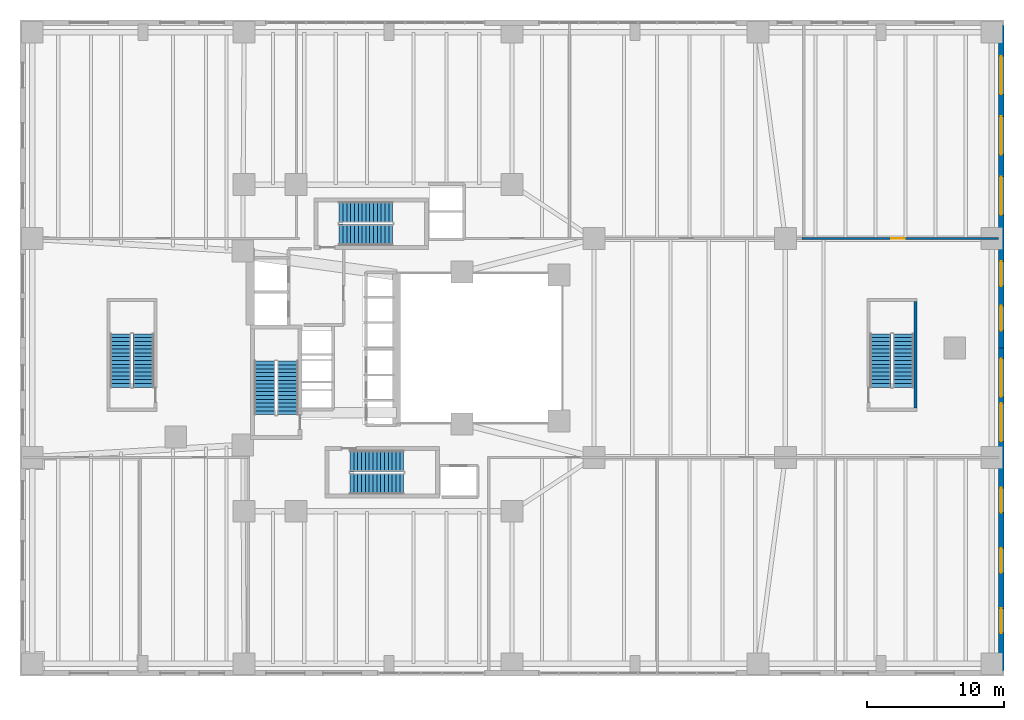
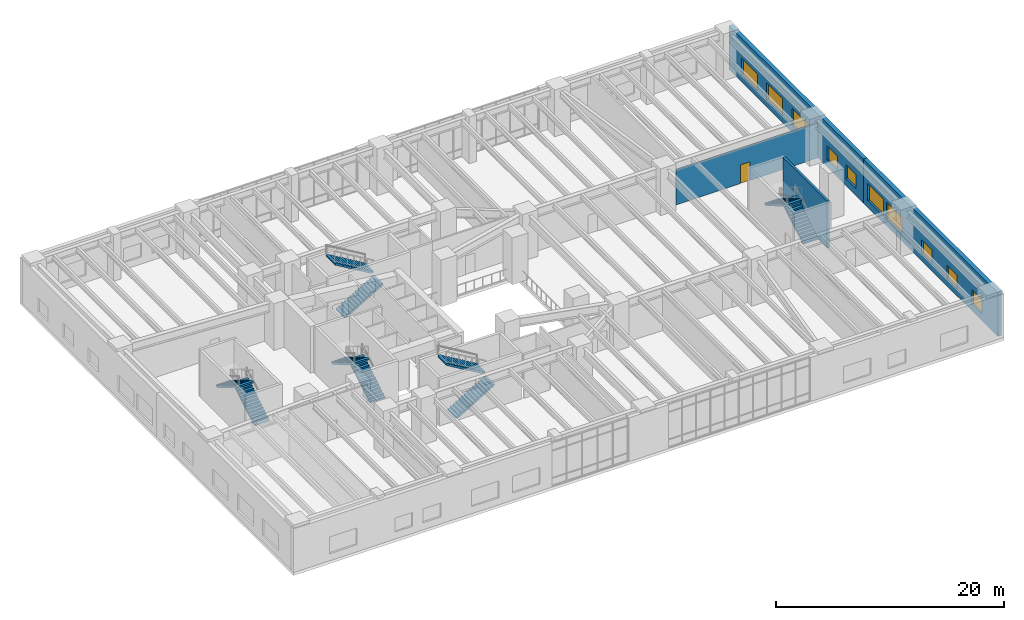
# One storey, part 24 of 26: 10 stair flights, 10 windows, 4 walls, 1 door, 11 openings, 5 elements without a shape of their own.
"""IFC4 building model written with IfcOpenShell, lengths in metres."""

from ifc_helpers import new_model, si_unit, direction, frame, frame_2d, origin, place, context, subcontext, project, spatial, polyline, rectangle, outline, extrude, material, layer, layer_set, type_object, element, fill, aggregate, save


model = new_model("IFC4")

# Units and contexts
model_context = context("Model", 3, precision=1e-05, world=origin(), true_north=direction((0.0, 1.0)))
body_context = subcontext(model_context, "Body", "Model", "MODEL_VIEW")
ifc_project = project(units=[si_unit("LENGTHUNIT", "METRE"), si_unit("AREAUNIT", "SQUARE_METRE"), si_unit("VOLUMEUNIT", "CUBIC_METRE"), si_unit("PLANEANGLEUNIT", "RADIAN"), si_unit("MASSUNIT", "GRAM", prefix="KILO"), si_unit("THERMODYNAMICTEMPERATUREUNIT", "KELVIN"), si_unit("POWERUNIT", "WATT")], contexts=[model_context])

# Site, building, storey
site_placement = place(None, origin())
site = spatial("IfcSite", under=ifc_project, at=site_placement, CompositionType="ELEMENT")
building_placement = place(site_placement, origin())
building = spatial("IfcBuilding", under=site, at=building_placement, Name="Skarre Station Tower", CompositionType="ELEMENT")
storey_placement = place(building_placement, frame((0.0, 0.0, 6.0)))
storey = spatial("IfcBuildingStorey", under=building, at=storey_placement, Name="L02", CompositionType="ELEMENT", Elevation=6.0)

# Wall, opening, door
ifc_material_1 = material(Name="Acoustic Steel-Stud Gypsum Partition", Category="steel")
ifc_layer_1 = layer(ifc_material_1, 0.14990234375, Name="Acoustic Steel-Stud Gypsum Partition")
ifc_layer_set_1 = layer_set([ifc_layer_1], Name="Acoustic Steel-Stud Gypsum Partition")
wall_type_1 = type_object("IfcWallType", Name="Fire-Rated Corridor Acoustic Partition 150", PredefinedType="PARTITIONING", material=ifc_layer_set_1)
wall_1_placement = place(storey_placement, frame((71.60498046875, 32.02001953125, 0.0), z_axis=(0.0, 0.0, 1.0), x_axis=(-1.0, 0.0, 0.0)))
wall_1 = element("IfcWall", 1, at=wall_1_placement, inside=storey, type_object=wall_type_1, Name="L02 Interior Partition WL-PT-L02-PDN4-CW", PredefinedType="PARTITIONING", context=body_context, shape_type="SweptSolid", body=[
    extrude(rectangle(XDim=14.380859375, YDim=0.14990234375, at=frame_2d((7.1904296875, 0.0))), origin(), (0.0, 0.0, 1.0), 3.741943359375),
])
opening_1_placement = place(wall_1_placement, frame((6.8798828125, 0.0, 0.0)))
opening_1 = element("IfcOpeningElement", 2, at=opening_1_placement, cuts=wall_1, Name="Opening DR-FD60", PredefinedType="OPENING", context=body_context, shape_type="SweptSolid", body=[
    extrude(rectangle(XDim=0.9599609375, YDim=2.0, at=frame_2d((0.47998046875, 1.0))), frame((0.0, 0.0849609375, 0.0), z_axis=(0.0, -1.0, 0.0), x_axis=(1.0, 0.0, 0.0)), (0.0, 0.0, 1.0), 0.169921875),
])
ifc_material_2 = material(Name="Nordic White-Oak Veneer Solid-Core Fire Leaf", Category="wood")
door_type = type_object("IfcDoorType", Name="Corridor Suite Entry Fire Door FD60 960x2150", OperationType="SINGLE_SWING_LEFT", PredefinedType="DOOR", material=ifc_material_2)
door_placement = place(opening_1_placement, origin())
door = element("IfcDoor", 3, at=door_placement, inside=storey, type_object=door_type, Name="L02 PDN4 Entry Door", OperationType="SINGLE_SWING_LEFT", OverallHeight=2.0, OverallWidth=0.9599609375, PredefinedType="DOOR", context=body_context, shape_type="SweptSolid", body=[
    extrude(rectangle(XDim=0.9599609375, YDim=2.0, at=frame_2d((0.47998046875, 1.0))), frame((0.0, 0.02490234375, 0.0), z_axis=(0.0, -1.0, 0.0), x_axis=(1.0, 0.0, 0.0)), (0.0, 0.0, 1.0), 0.050048828125),
])
fill(opening_1, door)

# Wall, openings, windows
ifc_material_3 = material(Name="Precast concrete C45/55", Category="concrete")
ifc_layer_2 = layer(ifc_material_3, 0.39990234375, Name="Precast concrete C45/55")
ifc_layer_set_2 = layer_set([ifc_layer_2], Name="Precast concrete C45/55")
wall_type_2 = type_object("IfcWallType", Name="Nordic Granite Station Podium Wall 400", PredefinedType="STANDARD", material=ifc_layer_set_2)
wall_2_placement = place(storey_placement, frame((71.800048828125, 47.60009765625, 0.0), z_axis=(0.0, 0.0, 1.0), x_axis=(0.0, -1.0, 0.0)))
wall_2 = element("IfcWall", 4, at=wall_2_placement, inside=storey, type_object=wall_type_2, Name="L02 Podium Granite Wall EA", PredefinedType="STANDARD", context=body_context, shape_type="SweptSolid", body=[
    extrude(rectangle(XDim=23.60009765625, YDim=0.39990234375, at=frame_2d((11.800048828125, 0.0))), origin(), (0.0, 0.0, 1.0), 4.68994140625),
])
opening_2_placement = place(wall_2_placement, frame((2.242919921875, 0.0, 0.75)))
opening_2 = element("IfcOpeningElement", 5, at=opening_2_placement, cuts=wall_2, Name="Opening WN-POD", PredefinedType="OPENING", context=body_context, shape_type="SweptSolid", body=[
    extrude(rectangle(XDim=2.800048828125, YDim=1.800048828125, at=frame_2d((1.39990234375, 0.89990234375))), frame((0.0, 0.2099609375, 0.0), z_axis=(0.0, -1.0, 0.0), x_axis=(1.0, 0.0, 0.0)), (0.0, 0.0, 1.0), 0.419921875),
])
opening_3_placement = place(wall_2_placement, frame((6.64990234375, 0.0, 0.75)))
opening_3 = element("IfcOpeningElement", 6, at=opening_3_placement, cuts=wall_2, Name="Opening WN-POD", PredefinedType="OPENING", context=body_context, shape_type="SweptSolid", body=[
    extrude(rectangle(XDim=2.800048828125, YDim=1.800048828125, at=frame_2d((1.39990234375, 0.89990234375))), frame((0.0, 0.2099609375, 0.0), z_axis=(0.0, -1.0, 0.0), x_axis=(1.0, 0.0, 0.0)), (0.0, 0.0, 1.0), 0.419921875),
])
opening_4_placement = place(wall_2_placement, frame((11.056884765625, 0.0, 0.75)))
opening_4 = element("IfcOpeningElement", 7, at=opening_4_placement, cuts=wall_2, Name="Opening WN-POD", PredefinedType="OPENING", context=body_context, shape_type="SweptSolid", body=[
    extrude(rectangle(XDim=2.800048828125, YDim=1.800048828125, at=frame_2d((1.39990234375, 0.89990234375))), frame((0.0, 0.2099609375, 0.0), z_axis=(0.0, -1.0, 0.0), x_axis=(1.0, 0.0, 0.0)), (0.0, 0.0, 1.0), 0.419921875),
])
opening_5_placement = place(wall_2_placement, frame((17.26806640625, 0.0, 0.75)))
opening_5 = element("IfcOpeningElement", 8, at=opening_5_placement, cuts=wall_2, Name="Opening WN-Z1A", PredefinedType="OPENING", context=body_context, shape_type="SweptSolid", body=[
    extrude(rectangle(XDim=1.800048828125, YDim=1.5, at=frame_2d((0.89990234375, 0.75))), frame((0.0, 0.2099609375, 0.0), z_axis=(0.0, -1.0, 0.0), x_axis=(1.0, 0.0, 0.0)), (0.0, 0.0, 1.0), 0.419921875),
])
opening_6_placement = place(wall_2_placement, frame((20.52294921875, 0.0, 0.75)))
opening_6 = element("IfcOpeningElement", 9, at=opening_6_placement, cuts=wall_2, Name="Opening WN-Z1A", PredefinedType="OPENING", context=body_context, shape_type="SweptSolid", body=[
    extrude(rectangle(XDim=1.800048828125, YDim=1.5, at=frame_2d((0.89990234375, 0.75))), frame((0.0, 0.2099609375, 0.0), z_axis=(0.0, -1.0, 0.0), x_axis=(1.0, 0.0, 0.0)), (0.0, 0.0, 1.0), 0.419921875),
])
ifc_material_4 = material(Name="Low-Iron Triple Glazing with Bronze Anodized Frame", Category="glass")
window_type_1 = type_object("IfcWindowType", Name="Nordic Punched Triple-Glazed Window 1800x1500", PartitioningType="SINGLE_PANEL", PredefinedType="WINDOW", material=ifc_material_4)
window_1_placement = place(opening_5_placement, origin())
window_1 = element("IfcWindow", 10, at=window_1_placement, inside=storey, type_object=window_type_1, Name="L02 Facade Window WL-POD-L02-EA-4", OverallHeight=1.5, OverallWidth=1.800048828125, PartitioningType="SINGLE_PANEL", PredefinedType="WINDOW", context=body_context, shape_type="SweptSolid", body=[
    extrude(rectangle(XDim=1.800048828125, YDim=1.5, at=frame_2d((0.89990234375, 0.75))), frame((0.0, 0.030029296875, 0.0), z_axis=(0.0, -1.0, 0.0), x_axis=(1.0, 0.0, 0.0)), (0.0, 0.0, 1.0), 0.06005859375),
])
fill(opening_5, window_1)
window_2_placement = place(opening_6_placement, origin())
window_2 = element("IfcWindow", 11, at=window_2_placement, inside=storey, type_object=window_type_1, Name="L02 Facade Window WL-POD-L02-EA-5", OverallHeight=1.5, OverallWidth=1.800048828125, PartitioningType="SINGLE_PANEL", PredefinedType="WINDOW", context=body_context, shape_type="SweptSolid", body=[
    extrude(rectangle(XDim=1.800048828125, YDim=1.5, at=frame_2d((0.89990234375, 0.75))), frame((0.0, 0.030029296875, 0.0), z_axis=(0.0, -1.0, 0.0), x_axis=(1.0, 0.0, 0.0)), (0.0, 0.0, 1.0), 0.06005859375),
])
fill(opening_6, window_2)
window_type_2 = type_object("IfcWindowType", Name="Podium Clerestory Ribbon Window 2800x1800", PartitioningType="SINGLE_PANEL", PredefinedType="WINDOW", material=ifc_material_4)
window_3_placement = place(opening_2_placement, origin())
window_3 = element("IfcWindow", 12, at=window_3_placement, inside=storey, type_object=window_type_2, Name="L02 Facade Window WL-POD-L02-EA-1", OverallHeight=1.800048828125, OverallWidth=2.800048828125, PartitioningType="SINGLE_PANEL", PredefinedType="WINDOW", context=body_context, shape_type="SweptSolid", body=[
    extrude(rectangle(XDim=2.800048828125, YDim=1.800048828125, at=frame_2d((1.39990234375, 0.89990234375))), frame((0.0, 0.030029296875, 0.0), z_axis=(0.0, -1.0, 0.0), x_axis=(1.0, 0.0, 0.0)), (0.0, 0.0, 1.0), 0.06005859375),
])
fill(opening_2, window_3)
window_4_placement = place(opening_3_placement, origin())
window_4 = element("IfcWindow", 13, at=window_4_placement, inside=storey, type_object=window_type_2, Name="L02 Facade Window WL-POD-L02-EA-2", OverallHeight=1.800048828125, OverallWidth=2.800048828125, PartitioningType="SINGLE_PANEL", PredefinedType="WINDOW", context=body_context, shape_type="SweptSolid", body=[
    extrude(rectangle(XDim=2.800048828125, YDim=1.800048828125, at=frame_2d((1.39990234375, 0.89990234375))), frame((0.0, 0.030029296875, 0.0), z_axis=(0.0, -1.0, 0.0), x_axis=(1.0, 0.0, 0.0)), (0.0, 0.0, 1.0), 0.06005859375),
])
fill(opening_3, window_4)
window_5_placement = place(opening_4_placement, origin())
window_5 = element("IfcWindow", 14, at=window_5_placement, inside=storey, type_object=window_type_2, Name="L02 Facade Window WL-POD-L02-EA-3", OverallHeight=1.800048828125, OverallWidth=2.800048828125, PartitioningType="SINGLE_PANEL", PredefinedType="WINDOW", context=body_context, shape_type="SweptSolid", body=[
    extrude(rectangle(XDim=2.800048828125, YDim=1.800048828125, at=frame_2d((1.39990234375, 0.89990234375))), frame((0.0, 0.030029296875, 0.0), z_axis=(0.0, -1.0, 0.0), x_axis=(1.0, 0.0, 0.0)), (0.0, 0.0, 1.0), 0.06005859375),
])
fill(opening_4, window_5)

wall_3_placement = place(storey_placement, frame((71.800048828125, 24.0, 0.0), z_axis=(0.0, 0.0, 1.0), x_axis=(0.0, -1.0, 0.0)))
wall_3 = element("IfcWall", 15, at=wall_3_placement, inside=storey, type_object=wall_type_2, Name="L02 Podium Granite Wall EB", PredefinedType="STANDARD", context=body_context, shape_type="SweptSolid", body=[
    extrude(rectangle(XDim=23.60009765625, YDim=0.39990234375, at=frame_2d((11.800048828125, 0.0))), origin(), (0.0, 0.0, 1.0), 4.68994140625),
])
opening_7_placement = place(wall_3_placement, frame((0.778076171875, 0.0, 0.75)))
opening_7 = element("IfcOpeningElement", 16, at=opening_7_placement, cuts=wall_3, Name="Opening WN-POD", PredefinedType="OPENING", context=body_context, shape_type="SweptSolid", body=[
    extrude(rectangle(XDim=2.800048828125, YDim=1.800048828125, at=frame_2d((1.39990234375, 0.89990234375))), frame((0.0, 0.2099609375, 0.0), z_axis=(0.0, -1.0, 0.0), x_axis=(1.0, 0.0, 0.0)), (0.0, 0.0, 1.0), 0.419921875),
])
opening_8_placement = place(wall_3_placement, frame((4.032958984375, 0.0, 0.75)))
opening_8 = element("IfcOpeningElement", 17, at=opening_8_placement, cuts=wall_3, Name="Opening WN-POD", PredefinedType="OPENING", context=body_context, shape_type="SweptSolid", body=[
    extrude(rectangle(XDim=2.800048828125, YDim=1.800048828125, at=frame_2d((1.39990234375, 0.89990234375))), frame((0.0, 0.2099609375, 0.0), z_axis=(0.0, -1.0, 0.0), x_axis=(1.0, 0.0, 0.0)), (0.0, 0.0, 1.0), 0.419921875),
])
opening_9_placement = place(wall_3_placement, frame((10.242919921875, 0.0, 0.75)))
opening_9 = element("IfcOpeningElement", 18, at=opening_9_placement, cuts=wall_3, Name="Opening WN-Z1A", PredefinedType="OPENING", context=body_context, shape_type="SweptSolid", body=[
    extrude(rectangle(XDim=1.800048828125, YDim=1.5, at=frame_2d((0.89990234375, 0.75))), frame((0.0, 0.2099609375, 0.0), z_axis=(0.0, -1.0, 0.0), x_axis=(1.0, 0.0, 0.0)), (0.0, 0.0, 1.0), 0.419921875),
])
opening_10_placement = place(wall_3_placement, frame((14.64990234375, 0.0, 0.75)))
opening_10 = element("IfcOpeningElement", 19, at=opening_10_placement, cuts=wall_3, Name="Opening WN-Z1A", PredefinedType="OPENING", context=body_context, shape_type="SweptSolid", body=[
    extrude(rectangle(XDim=1.800048828125, YDim=1.5, at=frame_2d((0.89990234375, 0.75))), frame((0.0, 0.2099609375, 0.0), z_axis=(0.0, -1.0, 0.0), x_axis=(1.0, 0.0, 0.0)), (0.0, 0.0, 1.0), 0.419921875),
])
opening_11_placement = place(wall_3_placement, frame((19.056884765625, 0.0, 0.75)))
opening_11 = element("IfcOpeningElement", 20, at=opening_11_placement, cuts=wall_3, Name="Opening WN-Z1A", PredefinedType="OPENING", context=body_context, shape_type="SweptSolid", body=[
    extrude(rectangle(XDim=1.800048828125, YDim=1.5, at=frame_2d((0.89990234375, 0.75))), frame((0.0, 0.2099609375, 0.0), z_axis=(0.0, -1.0, 0.0), x_axis=(1.0, 0.0, 0.0)), (0.0, 0.0, 1.0), 0.419921875),
])
window_6_placement = place(opening_9_placement, origin())
window_6 = element("IfcWindow", 21, at=window_6_placement, inside=storey, type_object=window_type_1, Name="L02 Facade Window WL-POD-L02-EB-3", OverallHeight=1.5, OverallWidth=1.800048828125, PartitioningType="SINGLE_PANEL", PredefinedType="WINDOW", context=body_context, shape_type="SweptSolid", body=[
    extrude(rectangle(XDim=1.800048828125, YDim=1.5, at=frame_2d((0.89990234375, 0.75))), frame((0.0, 0.030029296875, 0.0), z_axis=(0.0, -1.0, 0.0), x_axis=(1.0, 0.0, 0.0)), (0.0, 0.0, 1.0), 0.06005859375),
])
fill(opening_9, window_6)
window_7_placement = place(opening_10_placement, origin())
window_7 = element("IfcWindow", 22, at=window_7_placement, inside=storey, type_object=window_type_1, Name="L02 Facade Window WL-POD-L02-EB-4", OverallHeight=1.5, OverallWidth=1.800048828125, PartitioningType="SINGLE_PANEL", PredefinedType="WINDOW", context=body_context, shape_type="SweptSolid", body=[
    extrude(rectangle(XDim=1.800048828125, YDim=1.5, at=frame_2d((0.89990234375, 0.75))), frame((0.0, 0.030029296875, 0.0), z_axis=(0.0, -1.0, 0.0), x_axis=(1.0, 0.0, 0.0)), (0.0, 0.0, 1.0), 0.06005859375),
])
fill(opening_10, window_7)
window_8_placement = place(opening_11_placement, origin())
window_8 = element("IfcWindow", 23, at=window_8_placement, inside=storey, type_object=window_type_1, Name="L02 Facade Window WL-POD-L02-EB-5", OverallHeight=1.5, OverallWidth=1.800048828125, PartitioningType="SINGLE_PANEL", PredefinedType="WINDOW", context=body_context, shape_type="SweptSolid", body=[
    extrude(rectangle(XDim=1.800048828125, YDim=1.5, at=frame_2d((0.89990234375, 0.75))), frame((0.0, 0.030029296875, 0.0), z_axis=(0.0, -1.0, 0.0), x_axis=(1.0, 0.0, 0.0)), (0.0, 0.0, 1.0), 0.06005859375),
])
fill(opening_11, window_8)
window_9_placement = place(opening_7_placement, origin())
window_9 = element("IfcWindow", 24, at=window_9_placement, inside=storey, type_object=window_type_2, Name="L02 Facade Window WL-POD-L02-EB-1", OverallHeight=1.800048828125, OverallWidth=2.800048828125, PartitioningType="SINGLE_PANEL", PredefinedType="WINDOW", context=body_context, shape_type="SweptSolid", body=[
    extrude(rectangle(XDim=2.800048828125, YDim=1.800048828125, at=frame_2d((1.39990234375, 0.89990234375))), frame((0.0, 0.030029296875, 0.0), z_axis=(0.0, -1.0, 0.0), x_axis=(1.0, 0.0, 0.0)), (0.0, 0.0, 1.0), 0.06005859375),
])
fill(opening_7, window_9)
window_10_placement = place(opening_8_placement, origin())
window_10 = element("IfcWindow", 25, at=window_10_placement, inside=storey, type_object=window_type_2, Name="L02 Facade Window WL-POD-L02-EB-2", OverallHeight=1.800048828125, OverallWidth=2.800048828125, PartitioningType="SINGLE_PANEL", PredefinedType="WINDOW", context=body_context, shape_type="SweptSolid", body=[
    extrude(rectangle(XDim=2.800048828125, YDim=1.800048828125, at=frame_2d((1.39990234375, 0.89990234375))), frame((0.0, 0.030029296875, 0.0), z_axis=(0.0, -1.0, 0.0), x_axis=(1.0, 0.0, 0.0)), (0.0, 0.0, 1.0), 0.06005859375),
])
fill(opening_8, window_10)

# Wall
ifc_material_5 = material(Name="Concrete C50/60", Category="concrete")
ifc_layer_3 = layer(ifc_material_5, 0.239990234375, Name="Concrete C50/60")
ifc_layer_set_3 = layer_set([ifc_layer_3], Name="Concrete C50/60")
wall_type_3 = type_object("IfcWallType", Name="RC Core Shear Wall 240", PredefinedType="SHEAR", material=ifc_layer_set_3)
wall_4_placement = place(storey_placement, frame((65.52001953125, 19.60009765625, 0.0), z_axis=(0.0, 0.0, 1.0), x_axis=(0.0, 1.0, 0.0)))
element("IfcWall", 26, at=wall_4_placement, inside=storey, type_object=wall_type_3, Name="L02 Podium Stair ST-5 East Shear Wall", PredefinedType="SHEAR", context=body_context, shape_type="SweptSolid", body=[
    extrude(rectangle(XDim=7.7998046875, YDim=0.239990234375, at=frame_2d((3.89990234375, 0.0))), origin(), (0.0, 0.0, 1.0), 5.0),
])

# Stair, stair flights
ifc_material_6 = material(Name="Concrete C40/50", Category="concrete")
stair_type_1 = type_object("IfcStairType", Name="Reinforced Concrete Exit Stair ST-1", PredefinedType="HALF_TURN_STAIR", material=ifc_material_6)
stair_1_placement = place(storey_placement, origin())
stair_1 = element("IfcStair", 27, at=stair_1_placement, inside=storey, type_object=stair_type_1, Name="L02 Core Exit Stair ST-1", PredefinedType="HALF_TURN_STAIR")
stair_flight_type_1 = type_object("IfcStairFlightType", Name="Reinforced Concrete Stair Flight ST-1", PredefinedType="STRAIGHT", material=ifc_material_6)
stair_flight_1_placement = place(storey_placement, frame((19.590087890625, 19.1201171875, 0.0), z_axis=(0.0, 0.0, 1.0), x_axis=(0.0, 1.0, 0.0)))
stair_flight_1 = element("IfcStairFlight", 28, at=stair_flight_1_placement, type_object=stair_flight_type_1, Name="ST-1 flight 1", NumberOfRisers=15, NumberOfTreads=14, PredefinedType="STRAIGHT", RiserHeight=0.166666667, TreadLength=0.28, context=body_context, shape_type="SweptSolid", body=[
    extrude(outline(polyline([(0.0, 0.0), (0.0, 0.166748046875), (0.280029296875, 0.166748046875), (0.280029296875, 0.333251953125), (0.56005859375, 0.333251953125), (0.56005859375, 0.5), (0.840087890625, 0.5), (0.840087890625, 0.666748046875), (1.1201171875, 0.666748046875), (1.1201171875, 0.833251953125), (1.39990234375, 0.833251953125), (1.39990234375, 1.0), (1.679931640625, 1.0), (1.679931640625, 1.166748046875), (1.9599609375, 1.166748046875), (1.9599609375, 1.333251953125), (2.239990234375, 1.333251953125), (2.239990234375, 1.5), (2.52001953125, 1.5), (2.52001953125, 1.666748046875), (2.800048828125, 1.666748046875), (2.800048828125, 1.833251953125), (3.080078125, 1.833251953125), (3.080078125, 2.0), (3.360107421875, 2.0), (3.360107421875, 2.166748046875), (3.639892578125, 2.166748046875), (3.639892578125, 2.333251953125), (3.919921875, 2.333251953125), (3.919921875, 2.5), (3.919921875, 2.158935546875), (0.29296875, 0.0), (0.0, 0.0)])), frame((0.0, 0.760009765625, 0.0), z_axis=(0.0, -1.0, 0.0), x_axis=(1.0, 0.0, 0.0)), (0.0, 0.0, 1.0), 1.52001953125),
])
stair_flight_2_placement = place(storey_placement, frame((17.909912109375, 23.0400390625, 2.5), z_axis=(0.0, 0.0, 1.0), x_axis=(0.0, -1.0, 0.0)))
stair_flight_2 = element("IfcStairFlight", 29, at=stair_flight_2_placement, type_object=stair_flight_type_1, Name="ST-1 flight 2", NumberOfRisers=15, NumberOfTreads=14, PredefinedType="STRAIGHT", RiserHeight=0.166666667, TreadLength=0.28, context=body_context, shape_type="SweptSolid", body=[
    extrude(outline(polyline([(0.0, 0.0), (0.0, 0.166748046875), (0.280029296875, 0.166748046875), (0.280029296875, 0.333251953125), (0.56005859375, 0.333251953125), (0.56005859375, 0.5), (0.840087890625, 0.5), (0.840087890625, 0.666748046875), (1.1201171875, 0.666748046875), (1.1201171875, 0.833251953125), (1.39990234375, 0.833251953125), (1.39990234375, 1.0), (1.679931640625, 1.0), (1.679931640625, 1.166748046875), (1.9599609375, 1.166748046875), (1.9599609375, 1.333251953125), (2.239990234375, 1.333251953125), (2.239990234375, 1.5), (2.52001953125, 1.5), (2.52001953125, 1.666748046875), (2.800048828125, 1.666748046875), (2.800048828125, 1.833251953125), (3.080078125, 1.833251953125), (3.080078125, 2.0), (3.360107421875, 2.0), (3.360107421875, 2.166748046875), (3.639892578125, 2.166748046875), (3.639892578125, 2.333251953125), (3.919921875, 2.333251953125), (3.919921875, 2.5), (3.919921875, 2.158935546875), (0.29296875, 0.0), (0.0, 0.0)])), frame((0.0, 0.760009765625, 0.0), z_axis=(0.0, -1.0, 0.0), x_axis=(1.0, 0.0, 0.0)), (0.0, 0.0, 1.0), 1.52001953125),
])
aggregate(stair_1, [stair_flight_1, stair_flight_2])

stair_type_2 = type_object("IfcStairType", Name="Reinforced Concrete Exit Stair ST-2", PredefinedType="HALF_TURN_STAIR", material=ifc_material_6)
stair_2_placement = place(storey_placement, origin())
stair_2 = element("IfcStair", 30, at=stair_2_placement, inside=storey, type_object=stair_type_2, Name="L02 Core Exit Stair ST-2", PredefinedType="HALF_TURN_STAIR")
stair_flight_type_2 = type_object("IfcStairFlightType", Name="Reinforced Concrete Stair Flight ST-2", PredefinedType="STRAIGHT", material=ifc_material_6)
stair_flight_3_placement = place(storey_placement, frame((24.14990234375, 14.06005859375, 0.0), z_axis=(0.0, 0.0, 1.0), x_axis=(1.0, 0.0, 0.0)))
stair_flight_3 = element("IfcStairFlight", 31, at=stair_flight_3_placement, type_object=stair_flight_type_2, Name="ST-2 flight 1", NumberOfRisers=15, NumberOfTreads=14, PredefinedType="STRAIGHT", RiserHeight=0.166666667, TreadLength=0.28, context=body_context, shape_type="SweptSolid", body=[
    extrude(outline(polyline([(0.0, 0.0), (0.0, 0.166748046875), (0.280029296875, 0.166748046875), (0.280029296875, 0.333251953125), (0.56005859375, 0.333251953125), (0.56005859375, 0.5), (0.840087890625, 0.5), (0.840087890625, 0.666748046875), (1.1201171875, 0.666748046875), (1.1201171875, 0.833251953125), (1.39990234375, 0.833251953125), (1.39990234375, 1.0), (1.679931640625, 1.0), (1.679931640625, 1.166748046875), (1.9599609375, 1.166748046875), (1.9599609375, 1.333251953125), (2.239990234375, 1.333251953125), (2.239990234375, 1.5), (2.52001953125, 1.5), (2.52001953125, 1.666748046875), (2.800048828125, 1.666748046875), (2.800048828125, 1.833251953125), (3.080078125, 1.833251953125), (3.080078125, 2.0), (3.360107421875, 2.0), (3.360107421875, 2.166748046875), (3.639892578125, 2.166748046875), (3.639892578125, 2.333251953125), (3.919921875, 2.333251953125), (3.919921875, 2.5), (3.919921875, 2.158935546875), (0.29296875, 0.0), (0.0, 0.0)])), frame((0.0, 0.760009765625, 0.0), z_axis=(0.0, -1.0, 0.0), x_axis=(1.0, 0.0, 0.0)), (0.0, 0.0, 1.0), 1.52001953125),
])
stair_flight_4_placement = place(storey_placement, frame((28.070068359375, 15.739990234375, 2.5), z_axis=(0.0, 0.0, 1.0), x_axis=(-1.0, 0.0, 0.0)))
stair_flight_4 = element("IfcStairFlight", 32, at=stair_flight_4_placement, type_object=stair_flight_type_2, Name="ST-2 flight 2", NumberOfRisers=15, NumberOfTreads=14, PredefinedType="STRAIGHT", RiserHeight=0.166666667, TreadLength=0.28, context=body_context, shape_type="SweptSolid", body=[
    extrude(outline(polyline([(0.0, 0.0), (0.0, 0.166748046875), (0.280029296875, 0.166748046875), (0.280029296875, 0.333251953125), (0.56005859375, 0.333251953125), (0.56005859375, 0.5), (0.840087890625, 0.5), (0.840087890625, 0.666748046875), (1.1201171875, 0.666748046875), (1.1201171875, 0.833251953125), (1.39990234375, 0.833251953125), (1.39990234375, 1.0), (1.679931640625, 1.0), (1.679931640625, 1.166748046875), (1.9599609375, 1.166748046875), (1.9599609375, 1.333251953125), (2.239990234375, 1.333251953125), (2.239990234375, 1.5), (2.52001953125, 1.5), (2.52001953125, 1.666748046875), (2.800048828125, 1.666748046875), (2.800048828125, 1.833251953125), (3.080078125, 1.833251953125), (3.080078125, 2.0), (3.360107421875, 2.0), (3.360107421875, 2.166748046875), (3.639892578125, 2.166748046875), (3.639892578125, 2.333251953125), (3.919921875, 2.333251953125), (3.919921875, 2.5), (3.919921875, 2.158935546875), (0.29296875, 0.0), (0.0, 0.0)])), frame((0.0, 0.760009765625, 0.0), z_axis=(0.0, -1.0, 0.0), x_axis=(1.0, 0.0, 0.0)), (0.0, 0.0, 1.0), 1.52001953125),
])
aggregate(stair_2, [stair_flight_3, stair_flight_4])

stair_type_3 = type_object("IfcStairType", Name="Reinforced Concrete Exit Stair ST-3", PredefinedType="HALF_TURN_STAIR", material=ifc_material_6)
stair_3_placement = place(storey_placement, origin())
stair_3 = element("IfcStair", 33, at=stair_3_placement, inside=storey, type_object=stair_type_3, Name="L02 Core Exit Stair ST-3", PredefinedType="HALF_TURN_STAIR")
stair_flight_type_3 = type_object("IfcStairFlightType", Name="Reinforced Concrete Stair Flight ST-3", PredefinedType="STRAIGHT", material=ifc_material_6)
stair_flight_5_placement = place(storey_placement, frame((23.35009765625, 32.260009765625, 0.0), z_axis=(0.0, 0.0, 1.0), x_axis=(1.0, 0.0, 0.0)))
stair_flight_5 = element("IfcStairFlight", 34, at=stair_flight_5_placement, type_object=stair_flight_type_3, Name="ST-3 flight 1", NumberOfRisers=15, NumberOfTreads=14, PredefinedType="STRAIGHT", RiserHeight=0.166666667, TreadLength=0.28, context=body_context, shape_type="SweptSolid", body=[
    extrude(outline(polyline([(0.0, 0.0), (0.0, 0.166748046875), (0.280029296875, 0.166748046875), (0.280029296875, 0.333251953125), (0.56005859375, 0.333251953125), (0.56005859375, 0.5), (0.840087890625, 0.5), (0.840087890625, 0.666748046875), (1.1201171875, 0.666748046875), (1.1201171875, 0.833251953125), (1.39990234375, 0.833251953125), (1.39990234375, 1.0), (1.679931640625, 1.0), (1.679931640625, 1.166748046875), (1.9599609375, 1.166748046875), (1.9599609375, 1.333251953125), (2.239990234375, 1.333251953125), (2.239990234375, 1.5), (2.52001953125, 1.5), (2.52001953125, 1.666748046875), (2.800048828125, 1.666748046875), (2.800048828125, 1.833251953125), (3.080078125, 1.833251953125), (3.080078125, 2.0), (3.360107421875, 2.0), (3.360107421875, 2.166748046875), (3.639892578125, 2.166748046875), (3.639892578125, 2.333251953125), (3.919921875, 2.333251953125), (3.919921875, 2.5), (3.919921875, 2.158935546875), (0.29296875, 0.0), (0.0, 0.0)])), frame((0.0, 0.760009765625, 0.0), z_axis=(0.0, -1.0, 0.0), x_axis=(1.0, 0.0, 0.0)), (0.0, 0.0, 1.0), 1.52001953125),
])
stair_flight_6_placement = place(storey_placement, frame((27.27001953125, 33.93994140625, 2.5), z_axis=(0.0, 0.0, 1.0), x_axis=(-1.0, 0.0, 0.0)))
stair_flight_6 = element("IfcStairFlight", 35, at=stair_flight_6_placement, type_object=stair_flight_type_3, Name="ST-3 flight 2", NumberOfRisers=15, NumberOfTreads=14, PredefinedType="STRAIGHT", RiserHeight=0.166666667, TreadLength=0.28, context=body_context, shape_type="SweptSolid", body=[
    extrude(outline(polyline([(0.0, 0.0), (0.0, 0.166748046875), (0.280029296875, 0.166748046875), (0.280029296875, 0.333251953125), (0.56005859375, 0.333251953125), (0.56005859375, 0.5), (0.840087890625, 0.5), (0.840087890625, 0.666748046875), (1.1201171875, 0.666748046875), (1.1201171875, 0.833251953125), (1.39990234375, 0.833251953125), (1.39990234375, 1.0), (1.679931640625, 1.0), (1.679931640625, 1.166748046875), (1.9599609375, 1.166748046875), (1.9599609375, 1.333251953125), (2.239990234375, 1.333251953125), (2.239990234375, 1.5), (2.52001953125, 1.5), (2.52001953125, 1.666748046875), (2.800048828125, 1.666748046875), (2.800048828125, 1.833251953125), (3.080078125, 1.833251953125), (3.080078125, 2.0), (3.360107421875, 2.0), (3.360107421875, 2.166748046875), (3.639892578125, 2.166748046875), (3.639892578125, 2.333251953125), (3.919921875, 2.333251953125), (3.919921875, 2.5), (3.919921875, 2.158935546875), (0.29296875, 0.0), (0.0, 0.0)])), frame((0.0, 0.760009765625, 0.0), z_axis=(0.0, -1.0, 0.0), x_axis=(1.0, 0.0, 0.0)), (0.0, 0.0, 1.0), 1.52001953125),
])
aggregate(stair_3, [stair_flight_5, stair_flight_6])

stair_type_4 = type_object("IfcStairType", Name="Reinforced Concrete Exit Stair ST-4", PredefinedType="HALF_TURN_STAIR", material=ifc_material_6)
stair_4_placement = place(storey_placement, origin())
stair_4 = element("IfcStair", 36, at=stair_4_placement, inside=storey, type_object=stair_type_4, Name="L02 Podium Concourse Exit Stair ST-4", PredefinedType="HALF_TURN_STAIR")
stair_flight_type_4 = type_object("IfcStairFlightType", Name="Reinforced Concrete Stair Flight ST-4", PredefinedType="STRAIGHT", material=ifc_material_6)
stair_flight_7_placement = place(storey_placement, frame((9.0400390625, 21.1201171875, 0.0), z_axis=(0.0, 0.0, 1.0), x_axis=(0.0, 1.0, 0.0)))
stair_flight_7 = element("IfcStairFlight", 37, at=stair_flight_7_placement, type_object=stair_flight_type_4, Name="ST-4 flight 1", NumberOfRisers=15, NumberOfTreads=14, PredefinedType="STRAIGHT", RiserHeight=0.166666667, TreadLength=0.28, context=body_context, shape_type="SweptSolid", body=[
    extrude(outline(polyline([(0.0, 0.0), (0.0, 0.166748046875), (0.280029296875, 0.166748046875), (0.280029296875, 0.333251953125), (0.56005859375, 0.333251953125), (0.56005859375, 0.5), (0.840087890625, 0.5), (0.840087890625, 0.666748046875), (1.1201171875, 0.666748046875), (1.1201171875, 0.833251953125), (1.39990234375, 0.833251953125), (1.39990234375, 1.0), (1.679931640625, 1.0), (1.679931640625, 1.166748046875), (1.9599609375, 1.166748046875), (1.9599609375, 1.333251953125), (2.239990234375, 1.333251953125), (2.239990234375, 1.5), (2.52001953125, 1.5), (2.52001953125, 1.666748046875), (2.800048828125, 1.666748046875), (2.800048828125, 1.833251953125), (3.080078125, 1.833251953125), (3.080078125, 2.0), (3.360107421875, 2.0), (3.360107421875, 2.166748046875), (3.639892578125, 2.166748046875), (3.639892578125, 2.333251953125), (3.919921875, 2.333251953125), (3.919921875, 2.5), (3.919921875, 2.158935546875), (0.29296875, 0.0), (0.0, 0.0)])), frame((0.0, 0.760009765625, 0.0), z_axis=(0.0, -1.0, 0.0), x_axis=(1.0, 0.0, 0.0)), (0.0, 0.0, 1.0), 1.52001953125),
])
stair_flight_8_placement = place(storey_placement, frame((7.360107421875, 25.0400390625, 2.5), z_axis=(0.0, 0.0, 1.0), x_axis=(0.0, -1.0, 0.0)))
stair_flight_8 = element("IfcStairFlight", 38, at=stair_flight_8_placement, type_object=stair_flight_type_4, Name="ST-4 flight 2", NumberOfRisers=15, NumberOfTreads=14, PredefinedType="STRAIGHT", RiserHeight=0.166666667, TreadLength=0.28, context=body_context, shape_type="SweptSolid", body=[
    extrude(outline(polyline([(0.0, 0.0), (0.0, 0.166748046875), (0.280029296875, 0.166748046875), (0.280029296875, 0.333251953125), (0.56005859375, 0.333251953125), (0.56005859375, 0.5), (0.840087890625, 0.5), (0.840087890625, 0.666748046875), (1.1201171875, 0.666748046875), (1.1201171875, 0.833251953125), (1.39990234375, 0.833251953125), (1.39990234375, 1.0), (1.679931640625, 1.0), (1.679931640625, 1.166748046875), (1.9599609375, 1.166748046875), (1.9599609375, 1.333251953125), (2.239990234375, 1.333251953125), (2.239990234375, 1.5), (2.52001953125, 1.5), (2.52001953125, 1.666748046875), (2.800048828125, 1.666748046875), (2.800048828125, 1.833251953125), (3.080078125, 1.833251953125), (3.080078125, 2.0), (3.360107421875, 2.0), (3.360107421875, 2.166748046875), (3.639892578125, 2.166748046875), (3.639892578125, 2.333251953125), (3.919921875, 2.333251953125), (3.919921875, 2.5), (3.919921875, 2.158935546875), (0.29296875, 0.0), (0.0, 0.0)])), frame((0.0, 0.760009765625, 0.0), z_axis=(0.0, -1.0, 0.0), x_axis=(1.0, 0.0, 0.0)), (0.0, 0.0, 1.0), 1.52001953125),
])
aggregate(stair_4, [stair_flight_7, stair_flight_8])

stair_type_5 = type_object("IfcStairType", Name="Reinforced Concrete Exit Stair ST-5", PredefinedType="HALF_TURN_STAIR", material=ifc_material_6)
stair_5_placement = place(storey_placement, origin())
stair_5 = element("IfcStair", 39, at=stair_5_placement, inside=storey, type_object=stair_type_5, Name="L02 Podium Concourse Exit Stair ST-5", PredefinedType="HALF_TURN_STAIR")
stair_flight_type_5 = type_object("IfcStairFlightType", Name="Reinforced Concrete Stair Flight ST-5", PredefinedType="STRAIGHT", material=ifc_material_6)
stair_flight_9_placement = place(storey_placement, frame((64.639892578125, 21.1201171875, 0.0), z_axis=(0.0, 0.0, 1.0), x_axis=(0.0, 1.0, 0.0)))
stair_flight_9 = element("IfcStairFlight", 40, at=stair_flight_9_placement, type_object=stair_flight_type_5, Name="ST-5 flight 1", NumberOfRisers=15, NumberOfTreads=14, PredefinedType="STRAIGHT", RiserHeight=0.166666667, TreadLength=0.28, context=body_context, shape_type="SweptSolid", body=[
    extrude(outline(polyline([(0.0, 0.0), (0.0, 0.166748046875), (0.280029296875, 0.166748046875), (0.280029296875, 0.333251953125), (0.56005859375, 0.333251953125), (0.56005859375, 0.5), (0.840087890625, 0.5), (0.840087890625, 0.666748046875), (1.1201171875, 0.666748046875), (1.1201171875, 0.833251953125), (1.39990234375, 0.833251953125), (1.39990234375, 1.0), (1.679931640625, 1.0), (1.679931640625, 1.166748046875), (1.9599609375, 1.166748046875), (1.9599609375, 1.333251953125), (2.239990234375, 1.333251953125), (2.239990234375, 1.5), (2.52001953125, 1.5), (2.52001953125, 1.666748046875), (2.800048828125, 1.666748046875), (2.800048828125, 1.833251953125), (3.080078125, 1.833251953125), (3.080078125, 2.0), (3.360107421875, 2.0), (3.360107421875, 2.166748046875), (3.639892578125, 2.166748046875), (3.639892578125, 2.333251953125), (3.919921875, 2.333251953125), (3.919921875, 2.5), (3.919921875, 2.158935546875), (0.29296875, 0.0), (0.0, 0.0)])), frame((0.0, 0.760009765625, 0.0), z_axis=(0.0, -1.0, 0.0), x_axis=(1.0, 0.0, 0.0)), (0.0, 0.0, 1.0), 1.52001953125),
])
stair_flight_10_placement = place(storey_placement, frame((62.9599609375, 25.0400390625, 2.5), z_axis=(0.0, 0.0, 1.0), x_axis=(0.0, -1.0, 0.0)))
stair_flight_10 = element("IfcStairFlight", 41, at=stair_flight_10_placement, type_object=stair_flight_type_5, Name="ST-5 flight 2", NumberOfRisers=15, NumberOfTreads=14, PredefinedType="STRAIGHT", RiserHeight=0.166666667, TreadLength=0.28, context=body_context, shape_type="SweptSolid", body=[
    extrude(outline(polyline([(0.0, 0.0), (0.0, 0.166748046875), (0.280029296875, 0.166748046875), (0.280029296875, 0.333251953125), (0.56005859375, 0.333251953125), (0.56005859375, 0.5), (0.840087890625, 0.5), (0.840087890625, 0.666748046875), (1.1201171875, 0.666748046875), (1.1201171875, 0.833251953125), (1.39990234375, 0.833251953125), (1.39990234375, 1.0), (1.679931640625, 1.0), (1.679931640625, 1.166748046875), (1.9599609375, 1.166748046875), (1.9599609375, 1.333251953125), (2.239990234375, 1.333251953125), (2.239990234375, 1.5), (2.52001953125, 1.5), (2.52001953125, 1.666748046875), (2.800048828125, 1.666748046875), (2.800048828125, 1.833251953125), (3.080078125, 1.833251953125), (3.080078125, 2.0), (3.360107421875, 2.0), (3.360107421875, 2.166748046875), (3.639892578125, 2.166748046875), (3.639892578125, 2.333251953125), (3.919921875, 2.333251953125), (3.919921875, 2.5), (3.919921875, 2.158935546875), (0.29296875, 0.0), (0.0, 0.0)])), frame((0.0, 0.760009765625, 0.0), z_axis=(0.0, -1.0, 0.0), x_axis=(1.0, 0.0, 0.0)), (0.0, 0.0, 1.0), 1.52001953125),
])
aggregate(stair_5, [stair_flight_9, stair_flight_10])

save(model, "model.ifc")
